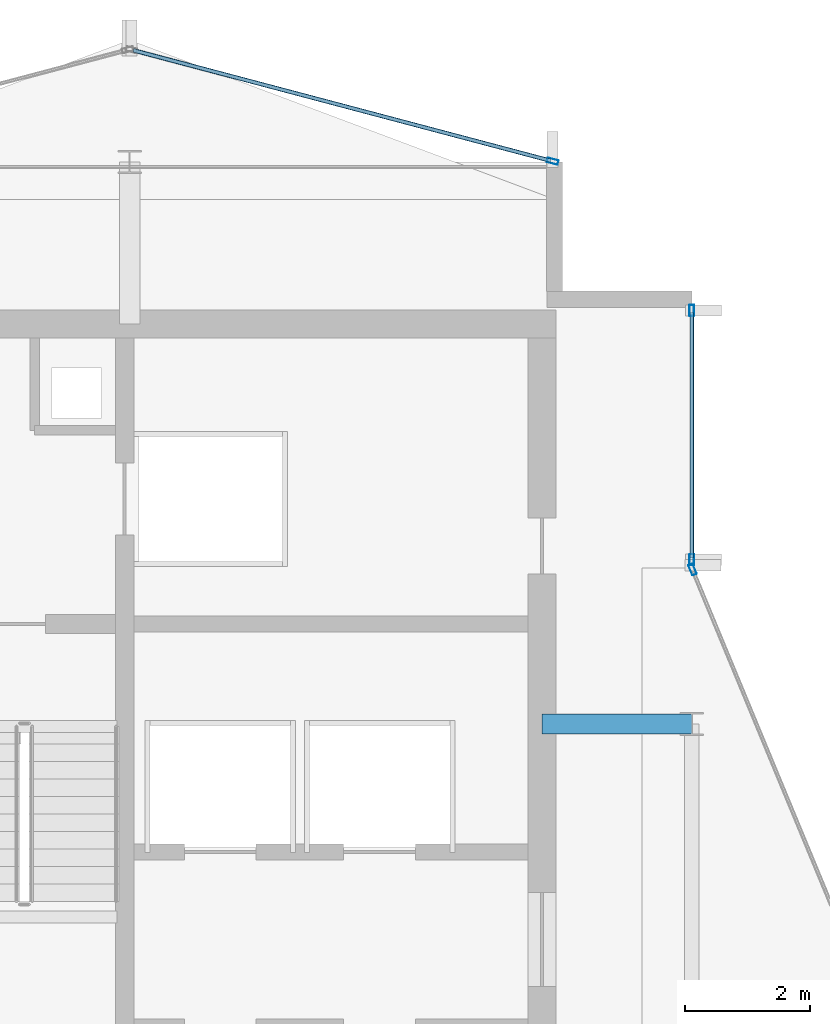
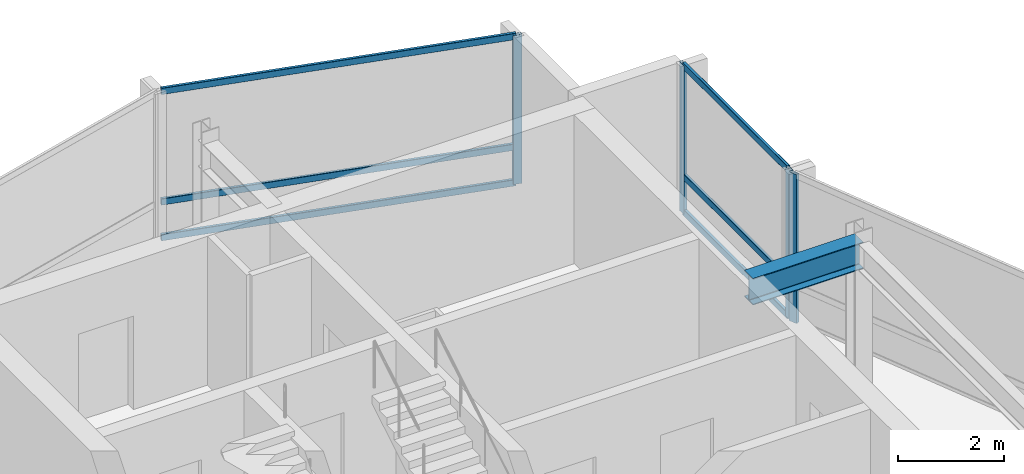
# One storey, part 12 of 19: 10 members, 1 beam, 3 elements without a shape of their own.
"""IFC4 building model written with IfcOpenShell, lengths in metres."""

from ifc_helpers import new_model, si_unit, direction, frame, origin, origin_2d, place, context, subcontext, project, spatial, hollow_rectangle, i_section, extrude, material, layer, layer_set, material_profile, profile_set, type_object, element, aggregate, save


model = new_model("IFC4")

# Units and contexts
model_context = context("Model", 3, precision=1e-05, world=origin(), true_north=direction((0.0, 1.0)))
body_context = subcontext(model_context, "Body", "Model", "MODEL_VIEW")
ifc_project = project(units=[si_unit("LENGTHUNIT", "METRE"), si_unit("AREAUNIT", "SQUARE_METRE"), si_unit("VOLUMEUNIT", "CUBIC_METRE"), si_unit("PLANEANGLEUNIT", "RADIAN"), si_unit("MASSUNIT", "GRAM", prefix="KILO")], contexts=[model_context])

# Site, building, storey
site_placement = place(None, origin())
site = spatial("IfcSite", under=ifc_project, at=site_placement, CompositionType="ELEMENT")
building_placement = place(site_placement, origin())
building = spatial("IfcBuilding", under=site, at=building_placement, Name="Solvaryn Broadcast Tower", CompositionType="ELEMENT")
storey_placement = place(building_placement, frame((0.0, 0.0, 290.0)))
storey = spatial("IfcBuildingStorey", under=building, at=storey_placement, Name="L73", CompositionType="ELEMENT", Elevation=290.0)

# Beam
ifc_material_1 = material(Name="Steel ASTM A992 Grade 50", Category="steel")
ifc_material_profile_1 = material_profile(ifc_material_1, i_section(OverallWidth=0.323974609375, OverallDepth=0.611083984375, WebThickness=0.0126953125, FlangeThickness=0.01904296875, FilletRadius=0.014892578125, at=origin_2d()))
ifc_profile_set_1 = profile_set([ifc_material_profile_1], Name="Steel ASTM A992 Grade 50")
beam_type = type_object("IfcBeamType", Name="BM-B1-W24X104", PredefinedType="BEAM", material=ifc_profile_set_1)
beam_placement = place(storey_placement, frame((24.60009765625, 36.0, 3.114501953125), z_axis=(1.0, 0.0, 0.0), x_axis=(0.0, 1.0, 0.0)))
element("IfcBeam", 1, at=beam_placement, inside=storey, type_object=beam_type, Name="L73 Core Tie Beam CTW2", PredefinedType="BEAM", context=body_context, shape_type="SweptSolid", body=[
    extrude(i_section(OverallWidth=0.323974609375, OverallDepth=0.611083984375, WebThickness=0.0126953125, FlangeThickness=0.01904296875, FilletRadius=0.014892578125, at=origin_2d()), origin(), (0.0, 0.0, 1.0), 2.39990234375),
])

# Curtain wall, members
ifc_material_2 = material(Name="Aluminium and Terracotta Unitised Curtain Wall", Category="masonry")
ifc_layer = layer(ifc_material_2, 0.199951171875)
ifc_layer_set = layer_set([ifc_layer], Name="CW-SYS2-LOWMID")
curtain_wall_type = type_object("IfcCurtainWallType", Name="CW-SYS2-LOWMID", PredefinedType="NOTDEFINED", material=ifc_layer_set)
curtain_wall_1_placement = place(storey_placement, origin())
curtain_wall_1 = element("IfcCurtainWall", 2, at=curtain_wall_1_placement, inside=storey, type_object=curtain_wall_type, Name="L73 Curtain Wall IV", PredefinedType="NOTDEFINED")
ifc_material_3 = material(Name="Anodised Aluminium 6063-T6", Category="aluminium")
ifc_material_profile_2 = material_profile(ifc_material_3, hollow_rectangle(XDim=0.074951171875, YDim=0.179931640625, WallThickness=0.00390625, InnerFilletRadius=0.00390625, OuterFilletRadius=0.008056640625, at=origin_2d()))
ifc_profile_set_2 = profile_set([ifc_material_profile_2], Name="Anodised Aluminium 6063-T6")
member_type_1 = type_object("IfcMemberType", Name="CW-MUL-180", PredefinedType="MULLION", material=ifc_profile_set_2)
member_1_placement = place(storey_placement, frame((27.0, 42.6201171875, 0.0), z_axis=(0.0, 0.0, 1.0), x_axis=(1.0, 0.0, 0.0)))
member_1 = element("IfcMember", 3, at=member_1_placement, type_object=member_type_1, Name="CWS2 mullion 1", PredefinedType="MULLION", context=body_context, shape_type="SweptSolid", body=[
    extrude(hollow_rectangle(XDim=0.074951171875, YDim=0.179931640625, WallThickness=0.00390625, InnerFilletRadius=0.00390625, OuterFilletRadius=0.008056640625, at=origin_2d()), origin(), (0.0, 0.0, 1.0), 3.419921875),
])
member_2_placement = place(storey_placement, frame((27.0, 38.6298828125, 0.0), z_axis=(0.0, 0.0, 1.0), x_axis=(1.0, 0.0, 0.0)))
member_2 = element("IfcMember", 4, at=member_2_placement, type_object=member_type_1, Name="CWS2 mullion 2", PredefinedType="MULLION", context=body_context, shape_type="SweptSolid", body=[
    extrude(hollow_rectangle(XDim=0.074951171875, YDim=0.179931640625, WallThickness=0.00390625, InnerFilletRadius=0.00390625, OuterFilletRadius=0.008056640625, at=origin_2d()), origin(), (0.0, 0.0, 1.0), 3.419921875),
])

# Curtain wall, member
curtain_wall_2_placement = place(storey_placement, origin())
curtain_wall_2 = element("IfcCurtainWall", 5, at=curtain_wall_2_placement, inside=storey, type_object=curtain_wall_type, Name="L73 Curtain Wall CN2", PredefinedType="NOTDEFINED")
member_3_placement = place(storey_placement, frame((27.011474609375, 38.47216796875, 0.0), z_axis=(0.0, 0.0, 1.0), x_axis=(-0.923894983957, -0.382646127145, 0.0)))
member_3 = element("IfcMember", 6, at=member_3_placement, type_object=member_type_1, Name="CWS2 mullion 2", PredefinedType="MULLION", context=body_context, shape_type="SweptSolid", body=[
    extrude(hollow_rectangle(XDim=0.074951171875, YDim=0.179931640625, WallThickness=0.00390625, InnerFilletRadius=0.00390625, OuterFilletRadius=0.008056640625, at=origin_2d()), origin(), (0.0, 0.0, 1.0), 3.419921875),
])
aggregate(curtain_wall_2, [member_3])

curtain_wall_3_placement = place(storey_placement, origin())
curtain_wall_3 = element("IfcCurtainWall", 7, at=curtain_wall_3_placement, inside=storey, type_object=curtain_wall_type, Name="L73 Curtain Wall NT1", PredefinedType="NOTDEFINED")
member_4_placement = place(storey_placement, frame((24.77099609375, 45.007568359375, 0.0), z_axis=(0.0, 0.0, 1.0), x_axis=(-0.25589256031, -0.966705227863, 0.0)))
member_4 = element("IfcMember", 8, at=member_4_placement, type_object=member_type_1, Name="CWS2 mullion 1", PredefinedType="MULLION", context=body_context, shape_type="SweptSolid", body=[
    extrude(hollow_rectangle(XDim=0.074951171875, YDim=0.179931640625, WallThickness=0.00390625, InnerFilletRadius=0.00390625, OuterFilletRadius=0.008056640625, at=origin_2d()), origin(), (0.0, 0.0, 1.0), 3.419921875),
])

# Member
ifc_material_4 = material(Name="Anodised Aluminium 6063-T6", Category="aluminium")
ifc_material_profile_3 = material_profile(ifc_material_4, hollow_rectangle(XDim=0.06494140625, YDim=0.14990234375, WallThickness=0.00390625, InnerFilletRadius=0.00390625, OuterFilletRadius=0.008056640625, at=origin_2d()))
ifc_profile_set_3 = profile_set([ifc_material_profile_3], Name="Anodised Aluminium 6063-T6")
member_type_2 = type_object("IfcMemberType", Name="CW-TRN-150", PredefinedType="USERDEFINED", material=ifc_profile_set_3)
member_5_placement = place(storey_placement, frame((27.0, 42.590087890625, 0.030029296875), z_axis=(0.0, -1.0, 0.0), x_axis=(1.0, 0.0, 0.0)))
member_5 = element("IfcMember", 9, at=member_5_placement, type_object=member_type_2, Name="CWS2 transom 1.1", ObjectType="TRANSOM", PredefinedType="USERDEFINED", context=body_context, shape_type="SweptSolid", body=[
    extrude(hollow_rectangle(XDim=0.06494140625, YDim=0.14990234375, WallThickness=0.00390625, InnerFilletRadius=0.00390625, OuterFilletRadius=0.008056640625, at=origin_2d()), origin(), (0.0, 0.0, 1.0), 3.93017578125),
])

member_6_placement = place(storey_placement, frame((27.0, 42.590087890625, 0.85009765625), z_axis=(0.0, -1.0, 0.0), x_axis=(1.0, 0.0, 0.0)))
member_6 = element("IfcMember", 10, at=member_6_placement, type_object=member_type_2, Name="CWS2 transom 1.2", ObjectType="TRANSOM", PredefinedType="USERDEFINED", context=body_context, shape_type="SweptSolid", body=[
    extrude(hollow_rectangle(XDim=0.06494140625, YDim=0.14990234375, WallThickness=0.00390625, InnerFilletRadius=0.00390625, OuterFilletRadius=0.008056640625, at=origin_2d()), origin(), (0.0, 0.0, 1.0), 3.93017578125),
])

member_7_placement = place(storey_placement, frame((27.0, 42.590087890625, 3.389892578125), z_axis=(0.0, -1.0, 0.0), x_axis=(1.0, 0.0, 0.0)))
member_7 = element("IfcMember", 11, at=member_7_placement, type_object=member_type_2, Name="CWS2 transom 1.3", ObjectType="TRANSOM", PredefinedType="USERDEFINED", context=body_context, shape_type="SweptSolid", body=[
    extrude(hollow_rectangle(XDim=0.06494140625, YDim=0.14990234375, WallThickness=0.00390625, InnerFilletRadius=0.00390625, OuterFilletRadius=0.008056640625, at=origin_2d()), origin(), (0.0, 0.0, 1.0), 3.93017578125),
])

aggregate(curtain_wall_1, [member_1, member_2, member_5, member_6, member_7])

member_8_placement = place(storey_placement, frame((24.741943359375, 45.015380859375, 0.030029296875), z_axis=(-0.966703943301, 0.255897413051, 0.0), x_axis=(-0.255897413051, -0.966703943301, 0.0)))
member_8 = element("IfcMember", 12, at=member_8_placement, type_object=member_type_2, Name="CWS2 transom 1.1", ObjectType="TRANSOM", PredefinedType="USERDEFINED", context=body_context, shape_type="SweptSolid", body=[
    extrude(hollow_rectangle(XDim=0.06494140625, YDim=0.14990234375, WallThickness=0.00390625, InnerFilletRadius=0.00390625, OuterFilletRadius=0.008056640625, at=origin_2d()), origin(), (0.0, 0.0, 1.0), 6.9140625),
])

member_9_placement = place(storey_placement, frame((24.741943359375, 45.015380859375, 0.85009765625), z_axis=(-0.966703943301, 0.255897413051, 0.0), x_axis=(-0.255897413051, -0.966703943301, 0.0)))
member_9 = element("IfcMember", 13, at=member_9_placement, type_object=member_type_2, Name="CWS2 transom 1.2", ObjectType="TRANSOM", PredefinedType="USERDEFINED", context=body_context, shape_type="SweptSolid", body=[
    extrude(hollow_rectangle(XDim=0.06494140625, YDim=0.14990234375, WallThickness=0.00390625, InnerFilletRadius=0.00390625, OuterFilletRadius=0.008056640625, at=origin_2d()), origin(), (0.0, 0.0, 1.0), 6.9140625),
])

member_10_placement = place(storey_placement, frame((24.741943359375, 45.015380859375, 3.389892578125), z_axis=(-0.966703943301, 0.255897413051, 0.0), x_axis=(-0.255897413051, -0.966703943301, 0.0)))
member_10 = element("IfcMember", 14, at=member_10_placement, type_object=member_type_2, Name="CWS2 transom 1.3", ObjectType="TRANSOM", PredefinedType="USERDEFINED", context=body_context, shape_type="SweptSolid", body=[
    extrude(hollow_rectangle(XDim=0.06494140625, YDim=0.14990234375, WallThickness=0.00390625, InnerFilletRadius=0.00390625, OuterFilletRadius=0.008056640625, at=origin_2d()), origin(), (0.0, 0.0, 1.0), 6.9140625),
])

aggregate(curtain_wall_3, [member_4, member_8, member_9, member_10])

save(model, "model.ifc")
